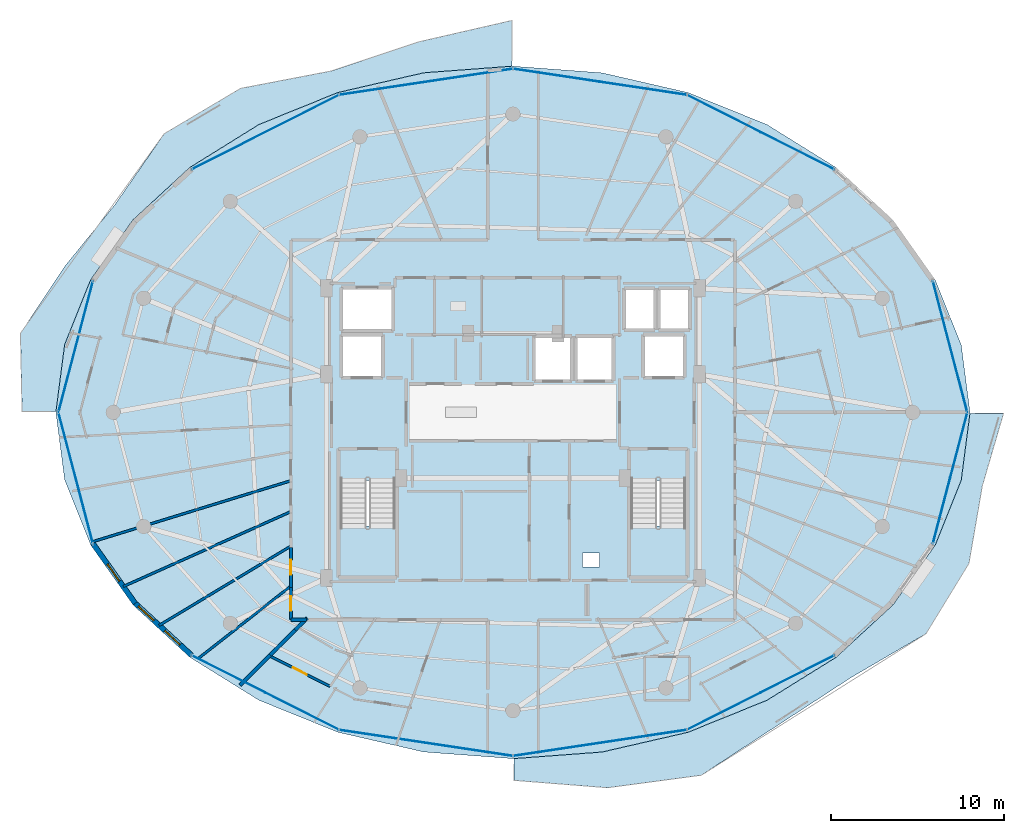
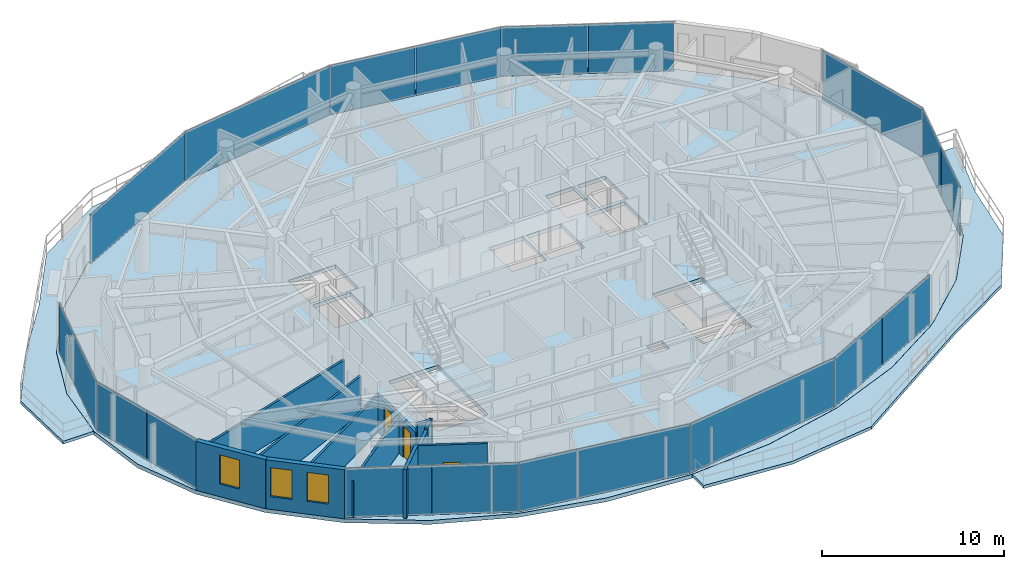
# One storey, part 19 of 29: 18 plates, 13 walls, 5 slabs, 3 doors, 3 windows, 6 openings, 6 elements without a shape of their own.
"""IFC4 building model written with IfcOpenShell, lengths in metres."""

from ifc_helpers import new_model, si_unit, direction, frame, frame_2d, origin, origin_2d, place, context, subcontext, project, spatial, polyline, rectangle, outline, extrude, material, layer, layer_set, type_object, element, fill, aggregate, save


model = new_model("IFC4")

# Units and contexts
model_context = context("Model", 3, precision=1e-05, world=origin(), true_north=direction((0.0, 1.0)))
body_context = subcontext(model_context, "Body", "Model", "MODEL_VIEW")
ifc_project = project(units=[si_unit("LENGTHUNIT", "METRE"), si_unit("AREAUNIT", "SQUARE_METRE"), si_unit("VOLUMEUNIT", "CUBIC_METRE"), si_unit("PLANEANGLEUNIT", "RADIAN"), si_unit("MASSUNIT", "GRAM", prefix="KILO")], contexts=[model_context])

# Site, building, storey
site_placement = place(None, origin())
site = spatial("IfcSite", under=ifc_project, at=site_placement, CompositionType="ELEMENT")
building_placement = place(site_placement, origin())
building = spatial("IfcBuilding", under=site, at=building_placement, Name="Vorneva Point Tower", CompositionType="ELEMENT")
storey_placement = place(building_placement, frame((0.0, 0.0, 259.10009765625)))
storey = spatial("IfcBuildingStorey", under=building, at=storey_placement, Name="L70", CompositionType="ELEMENT", Elevation=259.10009765625)

# Curtain wall, plates
ifc_material_1 = material(Name="Pale anodised aluminium", Category="aluminium")
curtain_wall_type = type_object("IfcCurtainWallType", Name="CW-RES-SYS", PredefinedType="NOTDEFINED", material=ifc_material_1)
curtain_wall_1_placement = place(storey_placement, origin())
curtain_wall_1 = element("IfcCurtainWall", 1, at=curtain_wall_1_placement, inside=storey, type_object=curtain_wall_type, Name="L70 Unitised Curtain Wall CW-L70-R01", PredefinedType="NOTDEFINED")
ifc_material_2 = material(Name="Double low-e laminated glass IGU", Category="glass")
ifc_layer_1 = layer(ifc_material_2, 0.035888671875)
ifc_layer_set_1 = layer_set([ifc_layer_1], Name="Double low-e laminated glass IGU")
plate_type = type_object("IfcPlateType", Name="CW-PNL-VIS", PredefinedType="CURTAIN_PANEL", material=ifc_layer_set_1)
plate_1_placement = place(storey_placement, frame((62.7041015625, 20.314208984375, -0.02001953125), z_axis=(0.0, 0.0, 1.0), x_axis=(0.254416284022, 0.967094801157, 0.0)))
plate_1 = element("IfcPlate", 2, at=plate_1_placement, type_object=plate_type, Name="CW-L70-R01 Glazed Panel 01A", PredefinedType="CURTAIN_PANEL", context=body_context, shape_type="SweptSolid", body=[
    extrude(rectangle(XDim=3.869384765625, YDim=0.035888671875, at=origin_2d()), origin(), (0.0, 0.0, 1.0), 3.330078125),
])
plate_2_placement = place(storey_placement, frame((63.701416015625, 24.104736328125, -0.02001953125), z_axis=(0.0, 0.0, 1.0), x_axis=(0.254416284022, 0.967094801157, 0.0)))
plate_2 = element("IfcPlate", 3, at=plate_2_placement, type_object=plate_type, Name="CW-L70-R01 Glazed Panel 01B", PredefinedType="CURTAIN_PANEL", context=body_context, shape_type="SweptSolid", body=[
    extrude(rectangle(XDim=3.869384765625, YDim=0.035888671875, at=origin_2d()), origin(), (0.0, 0.0, 1.0), 3.330078125),
])
plate_3_placement = place(storey_placement, frame((63.202880859375, 29.79052734375, -0.02001953125), z_axis=(0.0, 0.0, 1.0), x_axis=(-0.254416284022, 0.967094801157, 0.0)))
plate_3 = element("IfcPlate", 4, at=plate_3_placement, type_object=plate_type, Name="CW-L70-R01 Glazed Panel 02", PredefinedType="CURTAIN_PANEL", context=body_context, shape_type="SweptSolid", body=[
    extrude(rectangle(XDim=7.7890625, YDim=0.035888671875, at=origin_2d()), origin(), (0.0, 0.0, 1.0), 3.330078125),
])
aggregate(curtain_wall_1, [plate_1, plate_2, plate_3])

curtain_wall_2_placement = place(storey_placement, origin())
curtain_wall_2 = element("IfcCurtainWall", 5, at=curtain_wall_2_placement, inside=storey, type_object=curtain_wall_type, Name="L70 Unitised Curtain Wall CW-L70-R02", PredefinedType="NOTDEFINED")
plate_4_placement = place(storey_placement, frame((54.401123046875, 41.081298828125, -0.02001953125), z_axis=(0.0, 0.0, 1.0), x_axis=(-0.892554339087, 0.450939853836, 0.0)))
plate_4 = element("IfcPlate", 6, at=plate_4_placement, type_object=plate_type, Name="CW-L70-R02 Glazed Panel 01A", PredefinedType="CURTAIN_PANEL", context=body_context, shape_type="SweptSolid", body=[
    extrude(rectangle(XDim=4.71142578125, YDim=0.035888671875, at=origin_2d()), origin(), (0.0, 0.0, 1.0), 3.330078125),
])
plate_5_placement = place(storey_placement, frame((50.1513671875, 43.228515625, -0.02001953125), z_axis=(0.0, 0.0, 1.0), x_axis=(-0.892554339087, 0.450939853836, 0.0)))
plate_5 = element("IfcPlate", 7, at=plate_5_placement, type_object=plate_type, Name="CW-L70-R02 Glazed Panel 01B", PredefinedType="CURTAIN_PANEL", context=body_context, shape_type="SweptSolid", body=[
    extrude(rectangle(XDim=4.71142578125, YDim=0.035888671875, at=origin_2d()), origin(), (0.0, 0.0, 1.0), 3.330078125),
])
plate_6_placement = place(storey_placement, frame((45.519775390625, 44.67919921875, -0.02001953125), z_axis=(0.0, 0.0, 1.0), x_axis=(-0.988878712919, 0.148724211669, 0.0)))
plate_6 = element("IfcPlate", 8, at=plate_6_placement, type_object=plate_type, Name="CW-L70-R02 Glazed Panel 02A", PredefinedType="CURTAIN_PANEL", context=body_context, shape_type="SweptSolid", body=[
    extrude(rectangle(XDim=5.01953125, YDim=0.035888671875, at=origin_2d()), origin(), (0.0, 0.0, 1.0), 3.330078125),
])
plate_7_placement = place(storey_placement, frame((40.506591796875, 45.43310546875, -0.02001953125), z_axis=(0.0, 0.0, 1.0), x_axis=(-0.988878712919, 0.148724211669, 0.0)))
plate_7 = element("IfcPlate", 9, at=plate_7_placement, type_object=plate_type, Name="CW-L70-R02 Glazed Panel 02B", PredefinedType="CURTAIN_PANEL", context=body_context, shape_type="SweptSolid", body=[
    extrude(rectangle(XDim=5.01953125, YDim=0.035888671875, at=origin_2d()), origin(), (0.0, 0.0, 1.0), 3.330078125),
])
plate_8_placement = place(storey_placement, frame((32.98681640625, 45.055908203125, -0.02001953125), z_axis=(0.0, 0.0, 1.0), x_axis=(-0.988878712919, -0.148724211669, 0.0)))
plate_8 = element("IfcPlate", 10, at=plate_8_placement, type_object=plate_type, Name="CW-L70-R02 Glazed Panel 03", PredefinedType="CURTAIN_PANEL", context=body_context, shape_type="SweptSolid", body=[
    extrude(rectangle(XDim=10.089111328125, YDim=0.035888671875, at=origin_2d()), origin(), (0.0, 0.0, 1.0), 3.330078125),
])
plate_9_placement = place(storey_placement, frame((23.723876953125, 42.15478515625, -0.02001953125), z_axis=(0.0, 0.0, 1.0), x_axis=(-0.892554339087, -0.450939853836, 0.0)))
plate_9 = element("IfcPlate", 11, at=plate_9_placement, type_object=plate_type, Name="CW-L70-R02 Glazed Panel 04", PredefinedType="CURTAIN_PANEL", context=body_context, shape_type="SweptSolid", body=[
    extrude(rectangle(XDim=9.47314453125, YDim=0.035888671875, at=origin_2d()), origin(), (0.0, 0.0, 1.0), 3.330078125),
])
aggregate(curtain_wall_2, [plate_4, plate_5, plate_6, plate_7, plate_8, plate_9])

curtain_wall_3_placement = place(storey_placement, origin())
curtain_wall_3 = element("IfcCurtainWall", 12, at=curtain_wall_3_placement, inside=storey, type_object=curtain_wall_type, Name="L70 Unitised Curtain Wall CW-L70-R03", PredefinedType="NOTDEFINED")
plate_10_placement = place(storey_placement, frame((12.797119140625, 29.79052734375, -0.02001953125), z_axis=(0.0, 0.0, 1.0), x_axis=(-0.254416284022, -0.967094801157, 0.0)))
plate_10 = element("IfcPlate", 13, at=plate_10_placement, type_object=plate_type, Name="CW-L70-R03 Glazed Panel 01", PredefinedType="CURTAIN_PANEL", context=body_context, shape_type="SweptSolid", body=[
    extrude(rectangle(XDim=7.7890625, YDim=0.035888671875, at=origin_2d()), origin(), (0.0, 0.0, 1.0), 3.330078125),
])
plate_11_placement = place(storey_placement, frame((12.298583984375, 24.104736328125, -0.02001953125), z_axis=(0.0, 0.0, 1.0), x_axis=(0.254416284022, -0.967094801157, 0.0)))
plate_11 = element("IfcPlate", 14, at=plate_11_placement, type_object=plate_type, Name="CW-L70-R03 Glazed Panel 02A", PredefinedType="CURTAIN_PANEL", context=body_context, shape_type="SweptSolid", body=[
    extrude(rectangle(XDim=3.869384765625, YDim=0.035888671875, at=origin_2d()), origin(), (0.0, 0.0, 1.0), 3.330078125),
])
plate_12_placement = place(storey_placement, frame((13.2958984375, 20.314208984375, -0.02001953125), z_axis=(0.0, 0.0, 1.0), x_axis=(0.254416284022, -0.967094801157, 0.0)))
plate_12 = element("IfcPlate", 15, at=plate_12_placement, type_object=plate_type, Name="CW-L70-R03 Glazed Panel 02B", PredefinedType="CURTAIN_PANEL", context=body_context, shape_type="SweptSolid", body=[
    extrude(rectangle(XDim=3.869384765625, YDim=0.035888671875, at=origin_2d()), origin(), (0.0, 0.0, 1.0), 3.330078125),
])
aggregate(curtain_wall_3, [plate_10, plate_11, plate_12])

curtain_wall_4_placement = place(storey_placement, origin())
curtain_wall_4 = element("IfcCurtainWall", 16, at=curtain_wall_4_placement, inside=storey, type_object=curtain_wall_type, Name="L70 Unitised Curtain Wall CW-L70-R04", PredefinedType="NOTDEFINED")
plate_13_placement = place(storey_placement, frame((21.598876953125, 10.918701171875, -0.02001953125), z_axis=(0.0, 0.0, 1.0), x_axis=(0.892554339087, -0.450939853836, 0.0)))
plate_13 = element("IfcPlate", 17, at=plate_13_placement, type_object=plate_type, Name="CW-L70-R04 Glazed Panel 01A", PredefinedType="CURTAIN_PANEL", context=body_context, shape_type="SweptSolid", body=[
    extrude(rectangle(XDim=4.71142578125, YDim=0.035888671875, at=origin_2d()), origin(), (0.0, 0.0, 1.0), 3.330078125),
])
plate_14_placement = place(storey_placement, frame((25.8486328125, 8.771484375, -0.02001953125), z_axis=(0.0, 0.0, 1.0), x_axis=(0.892554339087, -0.450939853836, 0.0)))
plate_14 = element("IfcPlate", 18, at=plate_14_placement, type_object=plate_type, Name="CW-L70-R04 Glazed Panel 01B", PredefinedType="CURTAIN_PANEL", context=body_context, shape_type="SweptSolid", body=[
    extrude(rectangle(XDim=4.71142578125, YDim=0.035888671875, at=origin_2d()), origin(), (0.0, 0.0, 1.0), 3.330078125),
])
plate_15_placement = place(storey_placement, frame((32.98681640625, 6.944091796875, -0.02001953125), z_axis=(0.0, 0.0, 1.0), x_axis=(0.988878712919, -0.148724211669, 0.0)))
plate_15 = element("IfcPlate", 19, at=plate_15_placement, type_object=plate_type, Name="CW-L70-R04 Glazed Panel 02", PredefinedType="CURTAIN_PANEL", context=body_context, shape_type="SweptSolid", body=[
    extrude(rectangle(XDim=10.089111328125, YDim=0.035888671875, at=origin_2d()), origin(), (0.0, 0.0, 1.0), 3.330078125),
])
plate_16_placement = place(storey_placement, frame((43.01318359375, 6.944091796875, -0.02001953125), z_axis=(0.0, 0.0, 1.0), x_axis=(0.988878712919, 0.148724211669, 0.0)))
plate_16 = element("IfcPlate", 20, at=plate_16_placement, type_object=plate_type, Name="CW-L70-R04 Glazed Panel 03", PredefinedType="CURTAIN_PANEL", context=body_context, shape_type="SweptSolid", body=[
    extrude(rectangle(XDim=10.089111328125, YDim=0.035888671875, at=origin_2d()), origin(), (0.0, 0.0, 1.0), 3.330078125),
])
plate_17_placement = place(storey_placement, frame((50.1513671875, 8.771484375, -0.02001953125), z_axis=(0.0, 0.0, 1.0), x_axis=(0.892554339087, 0.450939853836, 0.0)))
plate_17 = element("IfcPlate", 21, at=plate_17_placement, type_object=plate_type, Name="CW-L70-R04 Glazed Panel 04A", PredefinedType="CURTAIN_PANEL", context=body_context, shape_type="SweptSolid", body=[
    extrude(rectangle(XDim=4.71142578125, YDim=0.035888671875, at=origin_2d()), origin(), (0.0, 0.0, 1.0), 3.330078125),
])
plate_18_placement = place(storey_placement, frame((54.401123046875, 10.918701171875, -0.02001953125), z_axis=(0.0, 0.0, 1.0), x_axis=(0.892554339087, 0.450939853836, 0.0)))
plate_18 = element("IfcPlate", 22, at=plate_18_placement, type_object=plate_type, Name="CW-L70-R04 Glazed Panel 04B", PredefinedType="CURTAIN_PANEL", context=body_context, shape_type="SweptSolid", body=[
    extrude(rectangle(XDim=4.71142578125, YDim=0.035888671875, at=origin_2d()), origin(), (0.0, 0.0, 1.0), 3.330078125),
])
aggregate(curtain_wall_4, [plate_13, plate_14, plate_15, plate_16, plate_17, plate_18])

# Slabs
ifc_material_3 = material(Name="Concrete B50 (C40/50)", Category="concrete")
ifc_layer_2 = layer(ifc_material_3, 0.199951171875)
ifc_layer_set_2 = layer_set([ifc_layer_2], Name="Concrete B50 (C40/50)")
slab_type_1 = type_object("IfcSlabType", Name="SLB-BAL-200", PredefinedType="FLOOR", material=ifc_layer_set_2)
slab_1_placement = place(storey_placement, frame((0.0, 0.0, -0.2001953125)))
element("IfcSlab", 23, at=slab_1_placement, inside=storey, type_object=slab_type_1, Name="L70 Cantilevered Wave Balcony NW", PredefinedType="FLOOR", context=body_context, shape_type="SweptSolid", body=[
    extrude(outline(polyline([(9.698974609375, 26.050048828125), (11.652587890625, 26.050048828125), (12.15234375, 29.89453125), (12.15234375, 29.894775390625), (12.152587890625, 29.895263671875), (12.152587890625, 29.8955078125), (13.652099609375, 33.639892578125), (13.65234375, 33.640380859375), (13.652587890625, 33.640625), (16.08740234375, 37.091552734375), (16.087890625, 37.091796875), (16.088134765625, 37.092041015625), (19.364990234375, 40.11669921875), (19.365234375, 40.1171875), (19.365478515625, 40.1171875), (23.358642578125, 42.599609375), (23.35888671875, 42.599609375), (23.359130859375, 42.599853515625), (27.914794921875, 44.4443359375), (27.9150390625, 44.4443359375), (27.915283203125, 44.444580078125), (32.8583984375, 45.580322265625), (32.85888671875, 45.58056640625), (32.859130859375, 45.58056640625), (37.949951171875, 45.960205078125), (37.949951171875, 48.598388671875), (32.589111328125, 47.36962890625), (27.526123046875, 45.68408203125), (22.304443359375, 44.68310546875), (17.891357421875, 42.062744140625), (15.06494140625, 37.994140625), (12.179931640625, 34.4453125), (9.606201171875, 30.563720703125), (9.698974609375, 26.050048828125)])), origin(), (0.0, 0.0, 1.0), 0.2001953125),
])
slab_2_placement = place(storey_placement, frame((0.0, 0.0, -0.2001953125)))
element("IfcSlab", 24, at=slab_2_placement, inside=storey, type_object=slab_type_1, Name="L70 Cantilevered Wave Balcony SE", PredefinedType="FLOOR", context=body_context, shape_type="SweptSolid", body=[
    extrude(outline(polyline([(65.065673828125, 21.78515625), (66.285400390625, 25.949951171875), (64.347412109375, 25.949951171875), (63.84765625, 22.10546875), (63.84765625, 22.105224609375), (63.847412109375, 22.104736328125), (63.847412109375, 22.1044921875), (62.347900390625, 18.360107421875), (62.34765625, 18.359619140625), (62.347412109375, 18.359375), (59.91259765625, 14.908447265625), (59.912109375, 14.908203125), (59.911865234375, 14.907958984375), (56.635009765625, 11.88330078125), (56.634765625, 11.8828125), (56.634521484375, 11.8828125), (52.641357421875, 9.400390625), (52.64111328125, 9.400390625), (52.640869140625, 9.400146484375), (48.085205078125, 7.5556640625), (48.0849609375, 7.5556640625), (48.084716796875, 7.555419921875), (43.1416015625, 6.419677734375), (43.14111328125, 6.41943359375), (43.140869140625, 6.41943359375), (38.050048828125, 6.039794921875), (38.050048828125, 4.7861328125), (43.451416015625, 4.3603515625), (48.861083984375, 5.081787109375), (53.34423828125, 8.010986328125), (57.5107421875, 10.726318359375), (61.80810546875, 13.23583984375), (64.290283203125, 17.297607421875), (65.065673828125, 21.78515625)])), origin(), (0.0, 0.0, 1.0), 0.2001953125),
])

# Stair, slab
stair_type = type_object("IfcStairType", Name="ST-DOG-1500", PredefinedType="HALF_TURN_STAIR", material=ifc_material_3)
stair_1_placement = place(storey_placement, origin())
stair_1 = element("IfcStair", 25, at=stair_1_placement, inside=storey, type_object=stair_type, Name="L70 ST1", PredefinedType="HALF_TURN_STAIR")
ifc_layer_3 = layer(ifc_material_3, 0.199951171875)
ifc_layer_set_3 = layer_set([ifc_layer_3], Name="Concrete B50 (C40/50)")
slab_type_2 = type_object("IfcSlabType", Name="SLB-LND-200", PredefinedType="LANDING", material=ifc_layer_set_3)
slab_3_placement = place(storey_placement, frame((0.0, 0.0, 1.574951171875)))
slab_3 = element("IfcSlab", 26, at=slab_3_placement, type_object=slab_type_2, Name="ST1 landing 1", PredefinedType="LANDING", context=body_context, shape_type="SweptSolid", body=[
    extrude(outline(polyline([(27.929931640625, 16.47998046875), (31.320068359375, 16.47998046875), (31.320068359375, 19.43994140625), (27.929931640625, 19.43994140625), (27.929931640625, 16.47998046875)])), origin(), (0.0, 0.0, 1.0), 0.199951171875),
])
aggregate(stair_1, [slab_3])

stair_2_placement = place(storey_placement, origin())
stair_2 = element("IfcStair", 27, at=stair_2_placement, inside=storey, type_object=stair_type, Name="L70 ST2", PredefinedType="HALF_TURN_STAIR")
slab_4_placement = place(storey_placement, frame((0.0, 0.0, 1.574951171875)))
slab_4 = element("IfcSlab", 28, at=slab_4_placement, type_object=slab_type_2, Name="ST2 landing 1", PredefinedType="LANDING", context=body_context, shape_type="SweptSolid", body=[
    extrude(outline(polyline([(44.679931640625, 16.47998046875), (48.070068359375, 16.47998046875), (48.070068359375, 19.43994140625), (44.679931640625, 19.43994140625), (44.679931640625, 16.47998046875)])), origin(), (0.0, 0.0, 1.0), 0.199951171875),
])
aggregate(stair_2, [slab_4])

# Slab
ifc_layer_4 = layer(ifc_material_3, 0.260009765625)
ifc_layer_set_4 = layer_set([ifc_layer_4], Name="Concrete B50 (C40/50)")
slab_type_3 = type_object("IfcSlabType", Name="SLB-TYP-260", PredefinedType="FLOOR", material=ifc_layer_set_4)
slab_5_placement = place(storey_placement, frame((0.0, 0.0, -0.260009765625)))
element("IfcSlab", 29, at=slab_5_placement, inside=storey, type_object=slab_type_3, Name="L70 Structural Floor Plate", PredefinedType="FLOOR", context=body_context, shape_type="SweptSolid", body=[
    extrude(outline(polyline([(64.35009765625, 26.0), (63.84375, 29.89404296875), (62.34423828125, 33.638427734375), (59.9091796875, 37.089111328125), (56.63232421875, 40.114013671875), (52.639404296875, 42.59619140625), (48.083740234375, 44.440673828125), (43.140625, 45.576416015625), (38.0, 45.9599609375), (32.859375, 45.576416015625), (27.916259765625, 44.440673828125), (23.360595703125, 42.59619140625), (19.36767578125, 40.114013671875), (16.0908203125, 37.089111328125), (13.65576171875, 33.638427734375), (12.15625, 29.89404296875), (11.64990234375, 26.0), (12.15625, 22.10595703125), (13.65576171875, 18.361572265625), (16.0908203125, 14.910888671875), (19.36767578125, 11.885986328125), (23.360595703125, 9.40380859375), (27.916259765625, 7.559326171875), (32.859375, 6.423583984375), (38.0, 6.0400390625), (43.140625, 6.423583984375), (48.083740234375, 7.559326171875), (52.639404296875, 9.40380859375), (56.63232421875, 11.885986328125), (59.9091796875, 14.910888671875), (62.34423828125, 18.361572265625), (63.84375, 22.10595703125), (64.35009765625, 26.0)]), holes=[polyline([(39.199951171875, 27.800048828125), (41.39990234375, 27.800048828125), (41.39990234375, 30.39990234375), (39.199951171875, 30.39990234375), (39.199951171875, 27.800048828125)]), polyline([(41.60009765625, 27.800048828125), (43.800048828125, 27.800048828125), (43.800048828125, 30.39990234375), (41.60009765625, 30.39990234375), (41.60009765625, 27.800048828125)]), polyline([(44.39990234375, 30.739990234375), (46.199951171875, 30.739990234375), (46.199951171875, 33.159912109375), (44.39990234375, 33.159912109375), (44.39990234375, 30.739990234375)]), polyline([(46.39990234375, 30.739990234375), (48.199951171875, 30.739990234375), (48.199951171875, 33.159912109375), (46.39990234375, 33.159912109375), (46.39990234375, 30.739990234375)]), polyline([(28.10009765625, 28.0), (30.5, 28.0), (30.5, 30.5), (28.10009765625, 30.5), (28.10009765625, 28.0)]), polyline([(45.5, 28.0), (47.89990234375, 28.0), (47.89990234375, 30.5), (45.5, 30.5), (45.5, 28.0)]), polyline([(28.10009765625, 30.699951171875), (31.10009765625, 30.699951171875), (31.10009765625, 33.199951171875), (28.10009765625, 33.199951171875), (28.10009765625, 30.699951171875)]), polyline([(28.050048828125, 16.60009765625), (31.199951171875, 16.60009765625), (31.199951171875, 22.080078125), (28.050048828125, 22.080078125), (28.050048828125, 16.60009765625)]), polyline([(44.800048828125, 16.60009765625), (47.949951171875, 16.60009765625), (47.949951171875, 22.080078125), (44.800048828125, 22.080078125), (44.800048828125, 16.60009765625)]), polyline([(42.0, 17.10009765625), (43.0, 17.10009765625), (43.0, 17.89990234375), (42.0, 17.89990234375), (42.0, 17.10009765625)])]), origin(), (0.0, 0.0, 1.0), 0.260009765625),
])

# Wall, opening, window
ifc_material_4 = material(Name="Precast concrete B50 (C40/50)", Category="concrete")
ifc_layer_5 = layer(ifc_material_4, 0.300048828125)
ifc_layer_set_5 = layer_set([ifc_layer_5], Name="Precast concrete B50 (C40/50)")
wall_type_1 = type_object("IfcWallType", Name="WL-EXT-300", PredefinedType="STANDARD", material=ifc_layer_set_5)
wall_1_placement = place(storey_placement, frame((13.79443359375, 18.4189453125, 0.0), z_axis=(0.0, 0.0, 1.0), x_axis=(0.577261247247, -0.816559521668, 0.0)))
wall_1 = element("IfcWall", 30, at=wall_1_placement, inside=storey, type_object=wall_type_1, Name="L70 Pale-Metal Facade Spandrel Wall 10.1", PredefinedType="STANDARD", context=body_context, shape_type="SweptSolid", body=[
    extrude(rectangle(XDim=4.194091796875, YDim=0.300048828125, at=frame_2d((2.09716796875, 0.0))), origin(), (0.0, 0.0, 1.0), 3.289794921875),
])
opening_1_placement = place(wall_1_placement, frame((1.43798828125, 0.0, 0.85009765625)))
opening_1 = element("IfcOpeningElement", 31, at=opening_1_placement, cuts=wall_1, Name="Opening W-04", PredefinedType="OPENING", context=body_context, shape_type="SweptSolid", body=[
    extrude(rectangle(XDim=1.199951171875, YDim=1.949951171875, at=frame_2d((0.60009765625, 0.97509765625))), frame((0.0, 0.1650390625, 0.0), z_axis=(0.0, -1.0, 0.0), x_axis=(1.0, 0.0, 0.0)), (0.0, 0.0, 1.0), 0.329833984375),
])
window_type = type_object("IfcWindowType", Name="WN-RES-1200", PartitioningType="SINGLE_PANEL", PredefinedType="WINDOW", material=ifc_material_2)
window_1_placement = place(opening_1_placement, origin())
window_1 = element("IfcWindow", 32, at=window_1_placement, inside=storey, type_object=window_type, Name="L70 Dwelling Vision Window 01", OverallHeight=1.949951171875, OverallWidth=1.199951171875, PartitioningType="SINGLE_PANEL", PredefinedType="WINDOW", context=body_context, shape_type="SweptSolid", body=[
    extrude(rectangle(XDim=1.199951171875, YDim=1.949951171875, at=frame_2d((0.60009765625, 0.97509765625))), frame((0.0, 0.030029296875, 0.0), z_axis=(0.0, -1.0, 0.0), x_axis=(1.0, 0.0, 0.0)), (0.0, 0.0, 1.0), 0.06005859375),
])
fill(opening_1, window_1)

# Wall, openings, windows
wall_2_placement = place(storey_placement, frame((16.215576171875, 14.994140625, 0.0), z_axis=(0.0, 0.0, 1.0), x_axis=(0.735445373611, -0.677584018727, 0.0)))
wall_2 = element("IfcWall", 33, at=wall_2_placement, inside=storey, type_object=wall_type_1, Name="L70 Pale-Metal Facade Spandrel Wall 10.2", PredefinedType="STANDARD", context=body_context, shape_type="SweptSolid", body=[
    extrude(rectangle(XDim=4.430419921875, YDim=0.300048828125, at=frame_2d((2.21533203125, 0.0))), origin(), (0.0, 0.0, 1.0), 3.289794921875),
])
opening_2_placement = place(wall_2_placement, frame((0.258056640625, 0.0, 0.85009765625)))
opening_2 = element("IfcOpeningElement", 34, at=opening_2_placement, cuts=wall_2, Name="Opening W-04", PredefinedType="OPENING", context=body_context, shape_type="SweptSolid", body=[
    extrude(rectangle(XDim=1.199951171875, YDim=1.949951171875, at=frame_2d((0.60009765625, 0.97509765625))), frame((0.0, 0.1650390625, 0.0), z_axis=(0.0, -1.0, 0.0), x_axis=(1.0, 0.0, 0.0)), (0.0, 0.0, 1.0), 0.329833984375),
])
opening_3_placement = place(wall_2_placement, frame((2.3232421875, 0.0, 0.85009765625)))
opening_3 = element("IfcOpeningElement", 35, at=opening_3_placement, cuts=wall_2, Name="Opening W-04", PredefinedType="OPENING", context=body_context, shape_type="SweptSolid", body=[
    extrude(rectangle(XDim=1.199951171875, YDim=1.949951171875, at=frame_2d((0.60009765625, 0.97509765625))), frame((0.0, 0.1650390625, 0.0), z_axis=(0.0, -1.0, 0.0), x_axis=(1.0, 0.0, 0.0)), (0.0, 0.0, 1.0), 0.329833984375),
])
window_2_placement = place(opening_2_placement, origin())
window_2 = element("IfcWindow", 36, at=window_2_placement, inside=storey, type_object=window_type, Name="L70 Dwelling Vision Window 02", OverallHeight=1.949951171875, OverallWidth=1.199951171875, PartitioningType="SINGLE_PANEL", PredefinedType="WINDOW", context=body_context, shape_type="SweptSolid", body=[
    extrude(rectangle(XDim=1.199951171875, YDim=1.949951171875, at=frame_2d((0.60009765625, 0.97509765625))), frame((0.0, 0.030029296875, 0.0), z_axis=(0.0, -1.0, 0.0), x_axis=(1.0, 0.0, 0.0)), (0.0, 0.0, 1.0), 0.06005859375),
])
fill(opening_2, window_2)
window_3_placement = place(opening_3_placement, origin())
window_3 = element("IfcWindow", 37, at=window_3_placement, inside=storey, type_object=window_type, Name="L70 Dwelling Vision Window 03", OverallHeight=1.949951171875, OverallWidth=1.199951171875, PartitioningType="SINGLE_PANEL", PredefinedType="WINDOW", context=body_context, shape_type="SweptSolid", body=[
    extrude(rectangle(XDim=1.199951171875, YDim=1.949951171875, at=frame_2d((0.60009765625, 0.97509765625))), frame((0.0, 0.030029296875, 0.0), z_axis=(0.0, -1.0, 0.0), x_axis=(1.0, 0.0, 0.0)), (0.0, 0.0, 1.0), 0.06005859375),
])
fill(opening_3, window_3)

# Walls
ifc_material_5 = material(Name="Fire-rated acoustic gypsum stud partition", Category="gypsum")
ifc_layer_6 = layer(ifc_material_5, 0.139892578125)
ifc_layer_set_6 = layer_set([ifc_layer_6], Name="Fire-rated acoustic gypsum stud partition")
wall_type_2 = type_object("IfcWallType", Name="WL-PART-140", PredefinedType="PARTITIONING", material=ifc_layer_set_6)
wall_3_placement = place(storey_placement, frame((13.7470703125, 18.5390625, 0.0), z_axis=(0.0, 0.0, 1.0), x_axis=(0.955802794564, 0.294008533725, 0.0)))
element("IfcWall", 38, at=wall_3_placement, inside=storey, type_object=wall_type_2, Name="L70 Interior Partition 088", PredefinedType="PARTITIONING", context=body_context, shape_type="SweptSolid", body=[
    extrude(rectangle(XDim=11.982421875, YDim=0.139892578125, at=frame_2d((5.9912109375, 0.0))), origin(), (0.0, 0.0, 1.0), 2.48193359375),
])
wall_4_placement = place(storey_placement, frame((15.532958984375, 15.9619140625, 0.0), z_axis=(0.0, 0.0, 1.0), x_axis=(0.913015836792, 0.407924112756, 0.0)))
element("IfcWall", 39, at=wall_4_placement, inside=storey, type_object=wall_type_2, Name="L70 Interior Partition 089", PredefinedType="PARTITIONING", context=body_context, shape_type="SweptSolid", body=[
    extrude(rectangle(XDim=10.587890625, YDim=0.139892578125, at=frame_2d((5.2939453125, 0.0))), origin(), (0.0, 0.0, 1.0), 2.48193359375),
])
wall_5_placement = place(storey_placement, frame((17.60205078125, 13.719970703125, 0.0), z_axis=(0.0, 0.0, 1.0), x_axis=(0.856734134601, 0.515758298633, 0.0)))
element("IfcWall", 40, at=wall_5_placement, inside=storey, type_object=wall_type_2, Name="L70 Interior Partition 090", PredefinedType="PARTITIONING", context=body_context, shape_type="SweptSolid", body=[
    extrude(rectangle(XDim=8.868408203125, YDim=0.139892578125, at=frame_2d((4.43408203125, 0.0))), origin(), (0.0, 0.0, 1.0), 2.48193359375),
])
wall_6_placement = place(storey_placement, frame((19.819091796875, 11.781982421875, 0.0), z_axis=(0.0, 0.0, 1.0), x_axis=(0.78765580417, 0.61611552014, 0.0)))
element("IfcWall", 41, at=wall_6_placement, inside=storey, type_object=wall_type_2, Name="L70 Interior Partition 091", PredefinedType="PARTITIONING", context=body_context, shape_type="SweptSolid", body=[
    extrude(rectangle(XDim=6.83154296875, YDim=0.139892578125, at=frame_2d((3.415771484375, 0.0))), origin(), (0.0, 0.0, 1.0), 2.48193359375),
])

# Wall, opening, door
wall_7_placement = place(storey_placement, frame((27.458984375, 10.202880859375, 0.0), z_axis=(0.0, 0.0, 1.0), x_axis=(-0.892559828496, 0.450928988374, 0.0)))
wall_7 = element("IfcWall", 42, at=wall_7_placement, inside=storey, type_object=wall_type_2, Name="L70 Interior Partition 099", PredefinedType="PARTITIONING", context=body_context, shape_type="SweptSolid", body=[
    extrude(rectangle(XDim=3.912353515625, YDim=0.139892578125, at=frame_2d((1.9560546875, 0.0))), origin(), (0.0, 0.0, 1.0), 3.289794921875),
])
opening_4_placement = place(wall_7_placement, frame((1.506103515625, 0.0, 0.0)))
opening_4 = element("IfcOpeningElement", 43, at=opening_4_placement, cuts=wall_7, Name="Opening ID-01", PredefinedType="OPENING", context=body_context, shape_type="SweptSolid", body=[
    extrude(rectangle(XDim=0.89990234375, YDim=2.10009765625, at=frame_2d((0.449951171875, 1.050048828125))), frame((0.0, 0.0849609375, 0.0), z_axis=(0.0, -1.0, 0.0), x_axis=(1.0, 0.0, 0.0)), (0.0, 0.0, 1.0), 0.169677734375),
])
ifc_material_6 = material(Name="Engineered oak fire-rated door leaf", Category="wood")
door_type_1 = type_object("IfcDoorType", Name="DR-ROOM-900", OperationType="NOTDEFINED", PredefinedType="DOOR", material=ifc_material_6)
door_1_placement = place(opening_4_placement, origin())
door_1 = element("IfcDoor", 44, at=door_1_placement, inside=storey, type_object=door_type_1, Name="L70 Door Living and Dining Room L70-02 / Study Room L70-02", OperationType="SINGLE_SWING_RIGHT", OverallHeight=2.10009765625, OverallWidth=0.89990234375, PredefinedType="DOOR", context=body_context, shape_type="SweptSolid", body=[
    extrude(rectangle(XDim=0.89990234375, YDim=2.10009765625, at=frame_2d((0.449951171875, 1.050048828125))), frame((0.0, 0.02490234375, 0.0), z_axis=(0.0, -1.0, 0.0), x_axis=(1.0, 0.0, 0.0)), (0.0, 0.0, 1.0), 0.050048828125),
])
fill(opening_4, door_1)

ifc_material_7 = material(Name="Autoclaved aerated concrete blockwork", Category="masonry")
ifc_layer_7 = layer(ifc_material_7, 0.179931640625)
ifc_layer_set_7 = layer_set([ifc_layer_7], Name="Autoclaved aerated concrete blockwork")
wall_type_3 = type_object("IfcWallType", Name="WL-PART-180", PredefinedType="PARTITIONING", material=ifc_layer_set_7)
wall_8_placement = place(storey_placement, frame((25.199951171875, 18.22412109375, 0.0), z_axis=(0.0, 0.0, 1.0), x_axis=(0.0, -1.0, 0.0)))
wall_8 = element("IfcWall", 45, at=wall_8_placement, inside=storey, type_object=wall_type_3, Name="L70 Interior Partition 039", PredefinedType="PARTITIONING", context=body_context, shape_type="SweptSolid", body=[
    extrude(rectangle(XDim=2.30908203125, YDim=0.179931640625, at=frame_2d((1.154541015625, 0.0))), origin(), (0.0, 0.0, 1.0), 2.48193359375),
])
opening_5_placement = place(wall_8_placement, frame((0.7294921875, 0.0, 0.0)))
opening_5 = element("IfcOpeningElement", 46, at=opening_5_placement, cuts=wall_8, Name="Opening ID-02", PredefinedType="OPENING", context=body_context, shape_type="SweptSolid", body=[
    extrude(rectangle(XDim=0.85009765625, YDim=2.10009765625, at=frame_2d((0.425048828125, 1.050048828125))), frame((0.0, 0.10498046875, 0.0), z_axis=(0.0, -1.0, 0.0), x_axis=(1.0, 0.0, 0.0)), (0.0, 0.0, 1.0), 0.209716796875),
])
door_type_2 = type_object("IfcDoorType", Name="DR-BATH-850", OperationType="NOTDEFINED", PredefinedType="DOOR", material=ifc_material_6)
door_2_placement = place(opening_5_placement, origin())
door_2 = element("IfcDoor", 47, at=door_2_placement, inside=storey, type_object=door_type_2, Name="L70 Access Door L70 Circulation Corridor", OperationType="SINGLE_SWING_LEFT", OverallHeight=2.10009765625, OverallWidth=0.85009765625, PredefinedType="DOOR", context=body_context, shape_type="SweptSolid", body=[
    extrude(rectangle(XDim=0.85009765625, YDim=2.10009765625, at=frame_2d((0.425048828125, 1.050048828125))), frame((0.0, 0.02490234375, 0.0), z_axis=(0.0, -1.0, 0.0), x_axis=(1.0, 0.0, 0.0)), (0.0, 0.0, 1.0), 0.050048828125),
])
fill(opening_5, door_2)

wall_9_placement = place(storey_placement, frame((25.199951171875, 15.9150390625, 0.0), z_axis=(0.0, 0.0, 1.0), x_axis=(0.0, -1.0, 0.0)))
wall_9 = element("IfcWall", 48, at=wall_9_placement, inside=storey, type_object=wall_type_3, Name="L70 Interior Partition 040", PredefinedType="PARTITIONING", context=body_context, shape_type="SweptSolid", body=[
    extrude(rectangle(XDim=1.864990234375, YDim=0.179931640625, at=frame_2d((0.9326171875, 0.0))), origin(), (0.0, 0.0, 1.0), 2.48193359375),
])
opening_6_placement = place(wall_9_placement, frame((0.507568359375, 0.0, 0.0)))
opening_6 = element("IfcOpeningElement", 49, at=opening_6_placement, cuts=wall_9, Name="Opening ID-02", PredefinedType="OPENING", context=body_context, shape_type="SweptSolid", body=[
    extrude(rectangle(XDim=0.85009765625, YDim=2.10009765625, at=frame_2d((0.425048828125, 1.050048828125))), frame((0.0, 0.10498046875, 0.0), z_axis=(0.0, -1.0, 0.0), x_axis=(1.0, 0.0, 0.0)), (0.0, 0.0, 1.0), 0.209716796875),
])
door_3_placement = place(opening_6_placement, origin())
door_3 = element("IfcDoor", 50, at=door_3_placement, inside=storey, type_object=door_type_2, Name="L70 Access Door L70 Circulation Corridor", OperationType="SINGLE_SWING_RIGHT", OverallHeight=2.10009765625, OverallWidth=0.85009765625, PredefinedType="DOOR", context=body_context, shape_type="SweptSolid", body=[
    extrude(rectangle(XDim=0.85009765625, YDim=2.10009765625, at=frame_2d((0.425048828125, 1.050048828125))), frame((0.0, 0.02490234375, 0.0), z_axis=(0.0, -1.0, 0.0), x_axis=(1.0, 0.0, 0.0)), (0.0, 0.0, 1.0), 0.050048828125),
])
fill(opening_6, door_3)

# Walls
wall_10_placement = place(storey_placement, frame((25.199951171875, 14.050048828125, 0.0), z_axis=(0.0, 0.0, 1.0), x_axis=(1.0, 0.0, 0.0)))
element("IfcWall", 51, at=wall_10_placement, inside=storey, type_object=wall_type_3, Name="L70 Interior Partition 041", PredefinedType="PARTITIONING", context=body_context, shape_type="SweptSolid", body=[
    extrude(rectangle(XDim=0.91015625, YDim=0.179931640625, at=frame_2d((0.455078125, 0.0))), origin(), (0.0, 0.0, 1.0), 3.02197265625),
])
ifc_layer_8 = layer(ifc_material_7, 0.199951171875)
ifc_layer_set_8 = layer_set([ifc_layer_8], Name="Autoclaved aerated concrete blockwork")
wall_type_4 = type_object("IfcWallType", Name="WL-PART-200", PredefinedType="PARTITIONING", material=ifc_layer_set_8)
wall_11_placement = place(storey_placement, frame((22.262939453125, 10.262939453125, 0.0), z_axis=(0.0, 0.0, 1.0), x_axis=(0.707106781187, 0.707106781187, 0.0)))
element("IfcWall", 52, at=wall_11_placement, inside=storey, type_object=wall_type_4, Name="L70 Interior Partition 092", PredefinedType="PARTITIONING", context=body_context, shape_type="SweptSolid", body=[
    extrude(rectangle(XDim=2.473388671875, YDim=0.199951171875, at=frame_2d((1.23681640625, 0.0))), origin(), (0.0, 0.0, 1.0), 3.289794921875),
])
wall_12_placement = place(storey_placement, frame((25.451904296875, 13.451904296875, 0.0), z_axis=(0.0, 0.0, 1.0), x_axis=(0.707106781187, 0.707106781187, 0.0)))
element("IfcWall", 53, at=wall_12_placement, inside=storey, type_object=wall_type_4, Name="L70 Interior Partition 093", PredefinedType="PARTITIONING", context=body_context, shape_type="SweptSolid", body=[
    extrude(rectangle(XDim=0.98583984375, YDim=0.199951171875, at=frame_2d((0.492919921875, 0.0))), origin(), (0.0, 0.0, 1.0), 3.02197265625),
])
wall_13_placement = place(storey_placement, frame((24.011962890625, 12.011962890625, 0.0), z_axis=(0.0, 0.0, 1.0), x_axis=(0.707106781187, 0.707106781187, 0.0)))
element("IfcWall", 54, at=wall_13_placement, inside=storey, type_object=wall_type_4, Name="L70 Interior Partition 094", PredefinedType="PARTITIONING", context=body_context, shape_type="SweptSolid", body=[
    extrude(rectangle(XDim=2.036376953125, YDim=0.199951171875, at=frame_2d((1.01806640625, 0.0))), origin(), (0.0, 0.0, 1.0), 2.8740234375),
])

save(model, "model.ifc")
